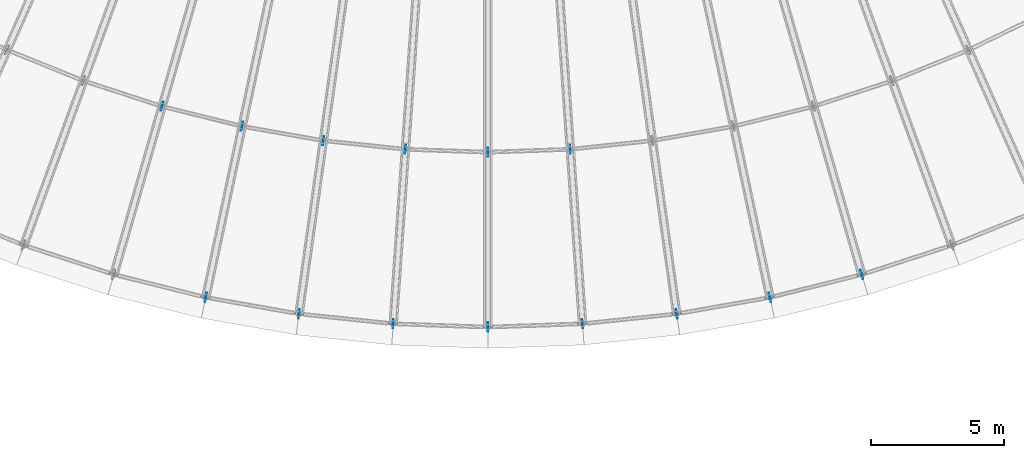
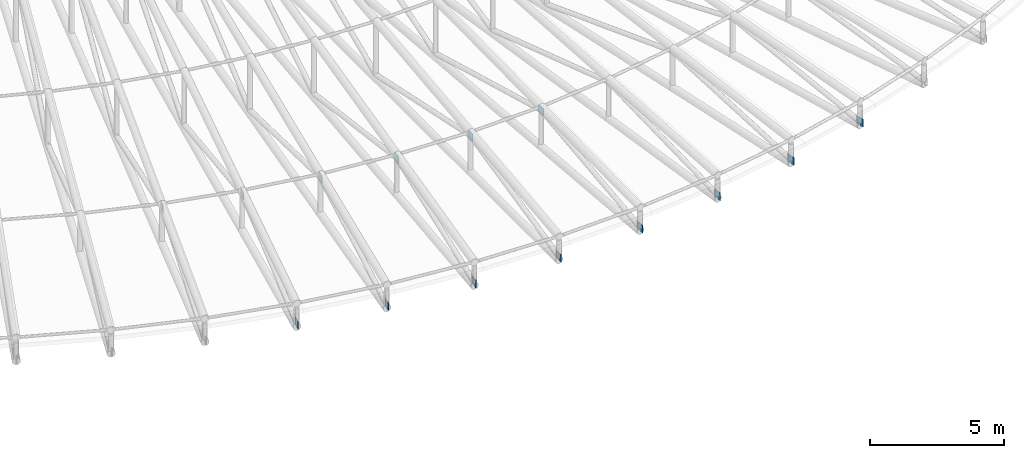
# One storey, part 130 of 163: 14 discrete accessories.
"""IFC4 building model written with IfcOpenShell, lengths in metres."""

import ifcopenshell
import ifcopenshell.guid

model = None  # the IFC model being written
_history = None  # IfcOwnerHistory: only IFC2X3 demands one
_inside = {}  # id of a spatial element -> (the spatial element, [elements in it])
_under = {}  # id of a project, library or spatial element -> (it, [spatial elements below it])
_declared = {}  # id of a project -> (the project, [libraries it declares])
_typed = {}  # id of a type object -> (the type object, [elements of that type])
_made_of = {}  # id of a material, layer set ... -> (it, [elements and type objects made of it])


def new_model(schema):
    """Start an empty IFC model of exactly this schema.

    Asked for "IFC4X3", IfcOpenShell would pick the latest addendum, in which some entities
    have other attributes; the version numbers below select the first issue.
    IFC2X3 requires an IfcOwnerHistory on every rooted entity: one is made here for all.
    """
    global model, _history
    if schema == "IFC4X3":
        model = ifcopenshell.file(schema_version=(4, 3, 0, 0))
    else:
        model = ifcopenshell.file(schema=schema)
    _inside.clear()
    _under.clear()
    _declared.clear()
    _typed.clear()
    _made_of.clear()
    _history = None
    if model.schema == "IFC2X3":
        org = make("IfcOrganization", Name="unknown")
        user = make(
            "IfcPersonAndOrganization",
            ThePerson=make("IfcPerson", FamilyName="unknown"),
            TheOrganization=org,
        )
        app = make(
            "IfcApplication",
            ApplicationDeveloper=org,
            Version="unknown",
            ApplicationFullName="unknown",
            ApplicationIdentifier="unknown",
        )
        _history = make(
            "IfcOwnerHistory",
            OwningUser=user,
            OwningApplication=app,
            ChangeAction="ADDED",
            CreationDate=0,
        )
    return model


def make(cls, **values):
    """One entity of the class cls with the attributes given. An attribute that is None is left unset."""
    return model.create_entity(
        cls, **{name: value for name, value in values.items() if value is not None}
    )


def rooted(cls, **values):
    """An entity with a GlobalId (a new one), such as an element, a storey or a relation."""
    return make(cls, GlobalId=ifcopenshell.guid.new(), OwnerHistory=_history, **values)


def si_unit(unit_type, name, prefix=None):
    """IfcSIUnit, for example si_unit("LENGTHUNIT", "METRE", prefix="MILLI")."""
    return make("IfcSIUnit", UnitType=unit_type, Prefix=prefix, Name=name)


def assignment(units):
    """IfcUnitAssignment: the units of a project."""
    return None if units is None else make("IfcUnitAssignment", Units=units)


def point(xyz):
    """IfcCartesianPoint."""
    return None if xyz is None else make("IfcCartesianPoint", Coordinates=xyz)


def direction(xyz):
    """IfcDirection."""
    return None if xyz is None else make("IfcDirection", DirectionRatios=xyz)


def frame(location, z_axis=None, x_axis=None):
    """IfcAxis2Placement3D, a coordinate frame: its origin and axes. An axis left out is left unset."""
    return make(
        "IfcAxis2Placement3D",
        Location=point(location),
        Axis=direction(z_axis),
        RefDirection=direction(x_axis),
    )


def frame_2d(location, x_axis=None):
    """IfcAxis2Placement2D, a coordinate frame in the plane: its origin and x axis."""
    return make(
        "IfcAxis2Placement2D", Location=point(location), RefDirection=direction(x_axis)
    )


def origin():
    """The frame at (0, 0, 0) with its axes left unset."""
    return frame((0.0, 0.0, 0.0))


def origin_2d():
    """The frame at (0, 0) in the plane with its x axis left unset."""
    return frame_2d((0.0, 0.0))


def place(relative_to, where):
    """IfcLocalPlacement: puts the frame where relative to a parent placement (None: the world)."""
    return make(
        "IfcLocalPlacement", PlacementRelTo=relative_to, RelativePlacement=where
    )


def context(
    kind, dimensions, precision=None, world=None, true_north=None, identifier=None
):
    """IfcGeometricRepresentationContext, for example the 3D "Model" context."""
    return make(
        "IfcGeometricRepresentationContext",
        ContextIdentifier=identifier,
        ContextType=kind,
        CoordinateSpaceDimension=dimensions,
        Precision=precision,
        WorldCoordinateSystem=world,
        TrueNorth=true_north,
    )


def subcontext(parent, identifier, kind, view, scale=None):
    """IfcGeometricRepresentationSubContext, for example "Body" below "Model"."""
    return make(
        "IfcGeometricRepresentationSubContext",
        ContextIdentifier=identifier,
        ContextType=kind,
        ParentContext=parent,
        TargetScale=scale,
        TargetView=view,
    )


def project(units=None, contexts=None):
    """IfcProject with its units and contexts."""
    return rooted(
        "IfcProject",
        Name="project",
        RepresentationContexts=contexts,
        UnitsInContext=assignment(units),
    )


def spatial(cls, under=None, at=None, **own):
    """A site, building, storey or space (cls), placed at a placement, below another one or the project."""
    s = rooted(cls, ObjectPlacement=at, **own)
    if under is not None:
        _under.setdefault(under.id(), (under, []))[1].append(s)
    return s


def profile(cls, at=None, kind="AREA", **sizes):
    """A parametric profile (cls). Its sizes go by their IFC names, for example OverallWidth=200.0."""
    return make(cls, ProfileType=kind, Position=at, **sizes)


def rectangle(**sizes):
    """IfcRectangleProfileDef."""
    return profile("IfcRectangleProfileDef", **sizes)


def extrude(swept, where, along, depth):
    """IfcExtrudedAreaSolid: the profile swept, set in the frame where, extruded along a direction by depth."""
    return make(
        "IfcExtrudedAreaSolid",
        SweptArea=swept,
        Position=where,
        ExtrudedDirection=direction(along),
        Depth=depth,
    )


def shape(context_of_items, identifier, shape_type, items):
    """IfcShapeRepresentation: the items that make up one representation, for example the "Body"."""
    return make(
        "IfcShapeRepresentation",
        ContextOfItems=context_of_items,
        RepresentationIdentifier=identifier,
        RepresentationType=shape_type,
        Items=items,
    )


def material(Name=None, Category=None):
    """IfcMaterial."""
    return make("IfcMaterial", Name=Name, Category=Category)


def layer(
    of_material, thickness, ventilated=None, Name=None, Category=None, Priority=None
):
    """IfcMaterialLayer: one layer of a wall or slab, of a material (None: an air gap)."""
    return make(
        "IfcMaterialLayer",
        Material=of_material,
        LayerThickness=thickness,
        IsVentilated=ventilated,
        Name=Name,
        Category=Category,
        Priority=Priority,
    )


def layer_set(layers, Name=None):
    """IfcMaterialLayerSet."""
    return make("IfcMaterialLayerSet", MaterialLayers=layers, LayerSetName=Name)


def made_of(thing, what):
    """Note that an element or type object is made of a material, layer set ...; save() writes the relation."""
    if what is not None:
        _made_of.setdefault(what.id(), (what, []))[1].append(thing)
    return thing


def type_object(cls, material=None, **own):
    """A type object (cls), such as IfcWallType, which elements share."""
    return made_of(rooted(cls, **own), material)


def element(
    cls,
    number,
    at=None,
    inside=None,
    cuts=None,
    type_object=None,
    material=None,
    context=None,
    identifier="Body",
    shape_type=None,
    held_by="IfcProductDefinitionShape",
    body=None,
    shapes=None,
    **own,
):
    """One element of the class cls, such as IfcWall. Its Tag is "e" and its number.

    at: its placement. inside: the storey or other place that contains it. cuts: it is an
    opening in that element (IfcRelVoidsElement). A single representation is given by context,
    identifier, shape_type and body (its items); several are given by shapes. held_by: the class
    of the entity that holds the representations. save() writes the other relations.
    """
    e = rooted(cls, Tag="e%d" % number, ObjectPlacement=at, **own)
    if body is not None:
        shapes = [shape(context, identifier, shape_type, body)]
    if shapes is not None:
        e.Representation = make(held_by, Representations=shapes)
    if inside is not None:
        _inside.setdefault(inside.id(), (inside, []))[1].append(e)
    if cuts is not None:
        rooted(
            "IfcRelVoidsElement", RelatingBuildingElement=cuts, RelatedOpeningElement=e
        )
    if type_object is not None:
        _typed.setdefault(type_object.id(), (type_object, []))[1].append(e)
    return made_of(e, material)


def aggregate(whole, parts):
    """IfcRelAggregates: a whole, such as a stair, and the parts it consists of."""
    return rooted("IfcRelAggregates", RelatingObject=whole, RelatedObjects=parts)


def save(model, path):
    """Write the relations noted so far, then the file.

    IfcRelAggregates (storeys below a building ...), IfcRelContainedInSpatialStructure (elements
    in a storey), IfcRelDefinesByType, IfcRelAssociatesMaterial and IfcRelDeclares: one each for
    every whole, place, type object, material and project.
    """
    for whole, parts in _under.values():
        aggregate(whole, parts)
    for where, things in _inside.values():
        rooted(
            "IfcRelContainedInSpatialStructure",
            RelatedElements=things,
            RelatingStructure=where,
        )
    for kind, things in _typed.values():
        rooted("IfcRelDefinesByType", RelatedObjects=things, RelatingType=kind)
    for what, things in _made_of.values():
        rooted("IfcRelAssociatesMaterial", RelatedObjects=things, RelatingMaterial=what)
    for by, libraries in _declared.values():
        rooted("IfcRelDeclares", RelatingContext=by, RelatedDefinitions=libraries)
    model.write(path)


model = new_model("IFC4")

# Units and contexts
model_context = context("Model", 3, precision=1e-05, world=origin(), true_north=direction((0.0, 1.0)))
body_context = subcontext(model_context, "Body", "Model", "MODEL_VIEW")
ifc_project = project(units=[si_unit("LENGTHUNIT", "METRE"), si_unit("AREAUNIT", "SQUARE_METRE"), si_unit("VOLUMEUNIT", "CUBIC_METRE"), si_unit("PLANEANGLEUNIT", "RADIAN"), si_unit("MASSUNIT", "GRAM", prefix="KILO")], contexts=[model_context])

# Site, building, storey
site_placement = place(None, origin())
site = spatial("IfcSite", under=ifc_project, at=site_placement, CompositionType="ELEMENT")
building_placement = place(site_placement, origin())
building = spatial("IfcBuilding", under=site, at=building_placement, Name="Rain Tree Exposition and Congress Centre", CompositionType="ELEMENT")
storey_placement = place(building_placement, frame((0.0, 0.0, 10.5)))
storey = spatial("IfcBuildingStorey", under=building, at=storey_placement, Name="L02", CompositionType="ELEMENT", Elevation=10.5)

# Discrete accessories
ifc_material = material(Name="Steel plate S355J2", Category="steel")
ifc_layer = layer(ifc_material, 0.02001953125)
ifc_layer_set = layer_set([ifc_layer], Name="Steel plate S355J2")
discrete_accessory_type = type_object("IfcDiscreteAccessoryType", Name="Brace node plate 350x350x20", PredefinedType="BRACKET", material=ifc_layer_set)
for number, where, z_axis, x_axis, name in (
    (1, (189.306640625, 24.32763671875, 1.635498046875), (0.0, 0.0, 1.0), (0.275637355817, 0.961261695938, 0.0), "Brace node plate 350"),
    (2, (190.954833984375, 17.118896484375, 0.1435546875), (0.0, 0.0, 1.0), (0.207911690818, 0.978147600734, 0.0), "Brace node plate 350"),
    (3, (192.3271484375, 23.57470703125, 1.635498046875), (0.0, 0.0, 1.0), (0.207911690818, 0.978147600734, 0.0), "Brace node plate 350"),
    (4, (194.474365234375, 16.498291015625, 0.1435546875), (0.0, 0.0, 1.0), (0.139190384377, 0.990265639562, 0.0), "Brace node plate 350"),
    (5, (195.392822265625, 23.033935546875, 1.635498046875), (0.0, 0.0, 1.0), (0.13917310096, 0.990268068742, 0.0), "Brace node plate 350"),
    (6, (198.028564453125, 16.124755859375, 0.1435546875), (0.0, 0.0, 1.0), (0.069756473744, 0.99756405026, 0.0), "Brace node plate 350"),
    (7, (198.489013671875, 22.70849609375, 1.635498046875), (0.0, 0.0, 1.0), (0.069756473744, 0.99756405026, 0.0), "Brace node plate 350"),
    (8, (201.60009765625, 16.0, 0.1435546875), (0.0, 0.0, 1.0), (0.0, 1.0, 0.0), "Brace node plate 350"),
    (9, (201.60009765625, 22.60009765625, 1.635498046875), (0.0, 0.0, 1.0), (0.0, 1.0, 0.0), "Brace node plate 350"),
    (10, (205.17138671875, 16.124755859375, 0.1435546875), (0.0, 0.0, 1.0), (-0.069756473744, 0.99756405026, 0.0), "Brace node plate 350"),
    (11, (204.711181640625, 22.70849609375, 1.635498046875), (0.0, 0.0, 1.0), (-0.069756473744, 0.99756405026, 0.0), "Brace node plate 350"),
    (12, (208.7255859375, 16.498291015625, 0.1435546875), (0.0, 0.0, 1.0), (-0.139190384377, 0.990265639562, 0.0), "Brace node plate 350"),
    (13, (212.2451171875, 17.118896484375, 0.1435546875), (0.0, 0.0, 1.0), (-0.207911690818, 0.978147600734, 0.0), "Brace node plate 350"),
    (14, (215.712646484375, 17.9833984375, 0.1435546875), (0.0, 0.0, 1.0), (-0.275637355817, 0.961261695938, 0.0), "Brace node plate 350"),
):
    element("IfcDiscreteAccessory", number, at=place(storey_placement, frame(where, z_axis=z_axis, x_axis=x_axis)), inside=storey, type_object=discrete_accessory_type, Name=name, PredefinedType="BRACKET", context=body_context, shape_type="SweptSolid", body=[
        extrude(rectangle(XDim=0.35009765625, YDim=0.02001953125, at=origin_2d()), origin(), (0.0, 0.0, 1.0), 0.35009765625),
    ])

save(model, "model.ifc")
